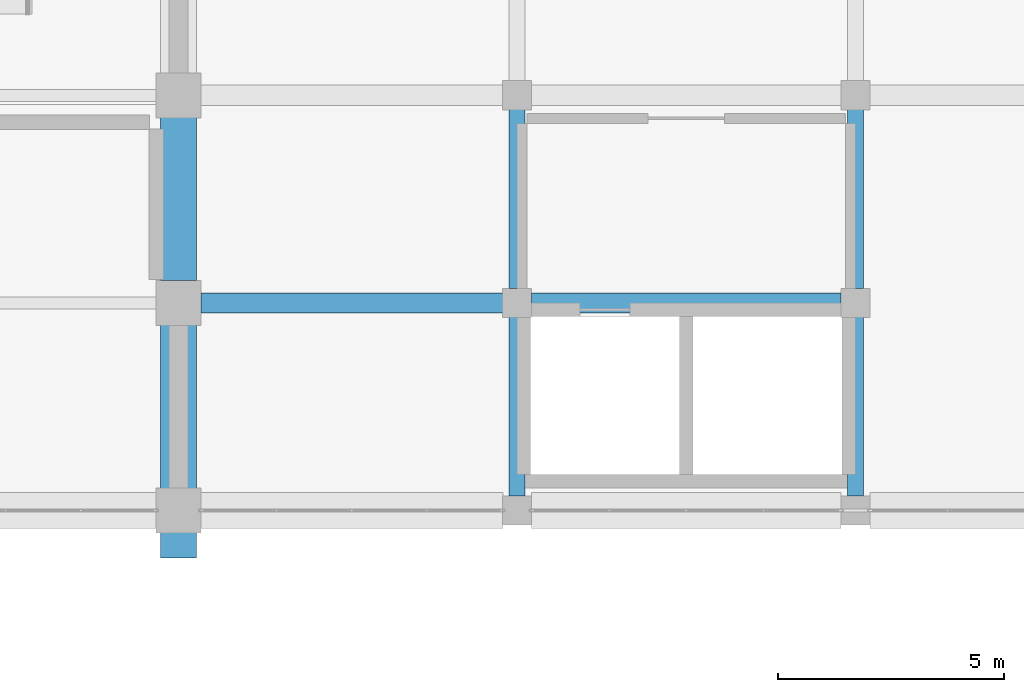
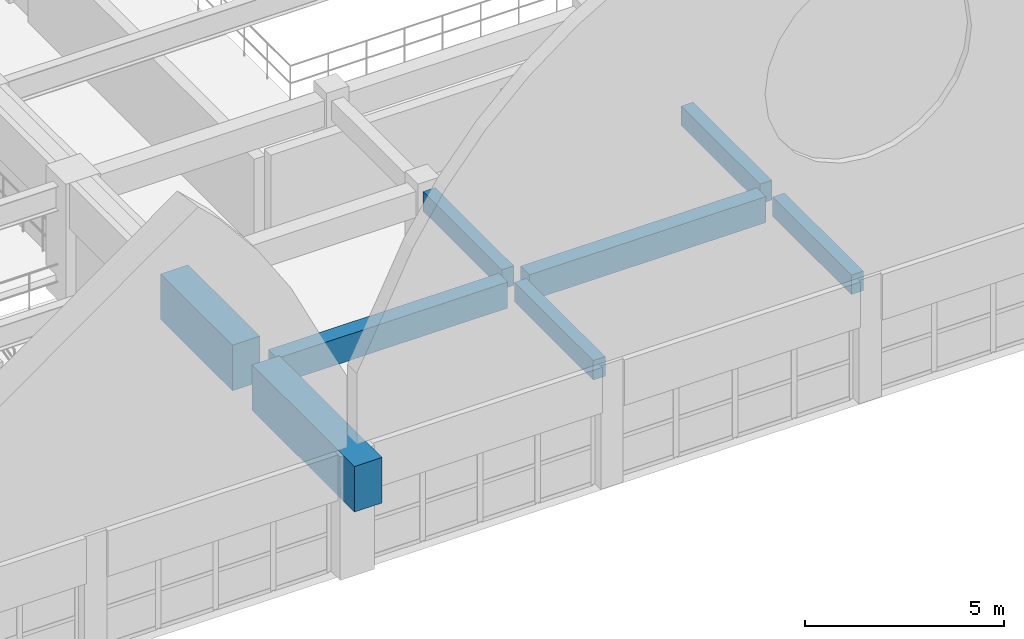
# One storey, part 24 of 74: 8 beams.
"""IFC4 building model written with IfcOpenShell, lengths in metres."""

import ifcopenshell
import ifcopenshell.guid

model = None  # the IFC model being written
_history = None  # IfcOwnerHistory: only IFC2X3 demands one
_inside = {}  # id of a spatial element -> (the spatial element, [elements in it])
_under = {}  # id of a project, library or spatial element -> (it, [spatial elements below it])
_declared = {}  # id of a project -> (the project, [libraries it declares])
_typed = {}  # id of a type object -> (the type object, [elements of that type])
_made_of = {}  # id of a material, layer set ... -> (it, [elements and type objects made of it])


def new_model(schema):
    """Start an empty IFC model of exactly this schema.

    Asked for "IFC4X3", IfcOpenShell would pick the latest addendum, in which some entities
    have other attributes; the version numbers below select the first issue.
    IFC2X3 requires an IfcOwnerHistory on every rooted entity: one is made here for all.
    """
    global model, _history
    if schema == "IFC4X3":
        model = ifcopenshell.file(schema_version=(4, 3, 0, 0))
    else:
        model = ifcopenshell.file(schema=schema)
    _inside.clear()
    _under.clear()
    _declared.clear()
    _typed.clear()
    _made_of.clear()
    _history = None
    if model.schema == "IFC2X3":
        org = make("IfcOrganization", Name="unknown")
        user = make(
            "IfcPersonAndOrganization",
            ThePerson=make("IfcPerson", FamilyName="unknown"),
            TheOrganization=org,
        )
        app = make(
            "IfcApplication",
            ApplicationDeveloper=org,
            Version="unknown",
            ApplicationFullName="unknown",
            ApplicationIdentifier="unknown",
        )
        _history = make(
            "IfcOwnerHistory",
            OwningUser=user,
            OwningApplication=app,
            ChangeAction="ADDED",
            CreationDate=0,
        )
    return model


def make(cls, **values):
    """One entity of the class cls with the attributes given. An attribute that is None is left unset."""
    return model.create_entity(
        cls, **{name: value for name, value in values.items() if value is not None}
    )


def rooted(cls, **values):
    """An entity with a GlobalId (a new one), such as an element, a storey or a relation."""
    return make(cls, GlobalId=ifcopenshell.guid.new(), OwnerHistory=_history, **values)


def si_unit(unit_type, name, prefix=None):
    """IfcSIUnit, for example si_unit("LENGTHUNIT", "METRE", prefix="MILLI")."""
    return make("IfcSIUnit", UnitType=unit_type, Prefix=prefix, Name=name)


def assignment(units):
    """IfcUnitAssignment: the units of a project."""
    return None if units is None else make("IfcUnitAssignment", Units=units)


def point(xyz):
    """IfcCartesianPoint."""
    return None if xyz is None else make("IfcCartesianPoint", Coordinates=xyz)


def direction(xyz):
    """IfcDirection."""
    return None if xyz is None else make("IfcDirection", DirectionRatios=xyz)


def frame(location, z_axis=None, x_axis=None):
    """IfcAxis2Placement3D, a coordinate frame: its origin and axes. An axis left out is left unset."""
    return make(
        "IfcAxis2Placement3D",
        Location=point(location),
        Axis=direction(z_axis),
        RefDirection=direction(x_axis),
    )


def frame_2d(location, x_axis=None):
    """IfcAxis2Placement2D, a coordinate frame in the plane: its origin and x axis."""
    return make(
        "IfcAxis2Placement2D", Location=point(location), RefDirection=direction(x_axis)
    )


def origin():
    """The frame at (0, 0, 0) with its axes left unset."""
    return frame((0.0, 0.0, 0.0))


def origin_2d():
    """The frame at (0, 0) in the plane with its x axis left unset."""
    return frame_2d((0.0, 0.0))


def place(relative_to, where):
    """IfcLocalPlacement: puts the frame where relative to a parent placement (None: the world)."""
    return make(
        "IfcLocalPlacement", PlacementRelTo=relative_to, RelativePlacement=where
    )


def context(
    kind, dimensions, precision=None, world=None, true_north=None, identifier=None
):
    """IfcGeometricRepresentationContext, for example the 3D "Model" context."""
    return make(
        "IfcGeometricRepresentationContext",
        ContextIdentifier=identifier,
        ContextType=kind,
        CoordinateSpaceDimension=dimensions,
        Precision=precision,
        WorldCoordinateSystem=world,
        TrueNorth=true_north,
    )


def subcontext(parent, identifier, kind, view, scale=None):
    """IfcGeometricRepresentationSubContext, for example "Body" below "Model"."""
    return make(
        "IfcGeometricRepresentationSubContext",
        ContextIdentifier=identifier,
        ContextType=kind,
        ParentContext=parent,
        TargetScale=scale,
        TargetView=view,
    )


def project(units=None, contexts=None):
    """IfcProject with its units and contexts."""
    return rooted(
        "IfcProject",
        Name="project",
        RepresentationContexts=contexts,
        UnitsInContext=assignment(units),
    )


def spatial(cls, under=None, at=None, **own):
    """A site, building, storey or space (cls), placed at a placement, below another one or the project."""
    s = rooted(cls, ObjectPlacement=at, **own)
    if under is not None:
        _under.setdefault(under.id(), (under, []))[1].append(s)
    return s


def profile(cls, at=None, kind="AREA", **sizes):
    """A parametric profile (cls). Its sizes go by their IFC names, for example OverallWidth=200.0."""
    return make(cls, ProfileType=kind, Position=at, **sizes)


def rectangle(**sizes):
    """IfcRectangleProfileDef."""
    return profile("IfcRectangleProfileDef", **sizes)


def extrude(swept, where, along, depth):
    """IfcExtrudedAreaSolid: the profile swept, set in the frame where, extruded along a direction by depth."""
    return make(
        "IfcExtrudedAreaSolid",
        SweptArea=swept,
        Position=where,
        ExtrudedDirection=direction(along),
        Depth=depth,
    )


def shape(context_of_items, identifier, shape_type, items):
    """IfcShapeRepresentation: the items that make up one representation, for example the "Body"."""
    return make(
        "IfcShapeRepresentation",
        ContextOfItems=context_of_items,
        RepresentationIdentifier=identifier,
        RepresentationType=shape_type,
        Items=items,
    )


def material(Name=None, Category=None):
    """IfcMaterial."""
    return make("IfcMaterial", Name=Name, Category=Category)


def material_profile(
    of_material, cross_section, Name=None, Category=None, Priority=None
):
    """IfcMaterialProfile: a cross section and its material."""
    return make(
        "IfcMaterialProfile",
        Name=Name,
        Material=of_material,
        Profile=cross_section,
        Priority=Priority,
        Category=Category,
    )


def profile_set(profiles, Name=None, composite=None):
    """IfcMaterialProfileSet."""
    return make(
        "IfcMaterialProfileSet",
        Name=Name,
        MaterialProfiles=profiles,
        CompositeProfile=composite,
    )


def made_of(thing, what):
    """Note that an element or type object is made of a material, layer set ...; save() writes the relation."""
    if what is not None:
        _made_of.setdefault(what.id(), (what, []))[1].append(thing)
    return thing


def type_object(cls, material=None, **own):
    """A type object (cls), such as IfcWallType, which elements share."""
    return made_of(rooted(cls, **own), material)


def element(
    cls,
    number,
    at=None,
    inside=None,
    cuts=None,
    type_object=None,
    material=None,
    context=None,
    identifier="Body",
    shape_type=None,
    held_by="IfcProductDefinitionShape",
    body=None,
    shapes=None,
    **own,
):
    """One element of the class cls, such as IfcWall. Its Tag is "e" and its number.

    at: its placement. inside: the storey or other place that contains it. cuts: it is an
    opening in that element (IfcRelVoidsElement). A single representation is given by context,
    identifier, shape_type and body (its items); several are given by shapes. held_by: the class
    of the entity that holds the representations. save() writes the other relations.
    """
    e = rooted(cls, Tag="e%d" % number, ObjectPlacement=at, **own)
    if body is not None:
        shapes = [shape(context, identifier, shape_type, body)]
    if shapes is not None:
        e.Representation = make(held_by, Representations=shapes)
    if inside is not None:
        _inside.setdefault(inside.id(), (inside, []))[1].append(e)
    if cuts is not None:
        rooted(
            "IfcRelVoidsElement", RelatingBuildingElement=cuts, RelatedOpeningElement=e
        )
    if type_object is not None:
        _typed.setdefault(type_object.id(), (type_object, []))[1].append(e)
    return made_of(e, material)


def aggregate(whole, parts):
    """IfcRelAggregates: a whole, such as a stair, and the parts it consists of."""
    return rooted("IfcRelAggregates", RelatingObject=whole, RelatedObjects=parts)


def save(model, path):
    """Write the relations noted so far, then the file.

    IfcRelAggregates (storeys below a building ...), IfcRelContainedInSpatialStructure (elements
    in a storey), IfcRelDefinesByType, IfcRelAssociatesMaterial and IfcRelDeclares: one each for
    every whole, place, type object, material and project.
    """
    for whole, parts in _under.values():
        aggregate(whole, parts)
    for where, things in _inside.values():
        rooted(
            "IfcRelContainedInSpatialStructure",
            RelatedElements=things,
            RelatingStructure=where,
        )
    for kind, things in _typed.values():
        rooted("IfcRelDefinesByType", RelatedObjects=things, RelatingType=kind)
    for what, things in _made_of.values():
        rooted("IfcRelAssociatesMaterial", RelatedObjects=things, RelatingMaterial=what)
    for by, libraries in _declared.values():
        rooted("IfcRelDeclares", RelatingContext=by, RelatedDefinitions=libraries)
    model.write(path)


model = new_model("IFC4")

# Units and contexts
model_context = context("Model", 3, precision=1e-05, world=origin(), true_north=direction((0.0, 1.0)))
body_context = subcontext(model_context, "Body", "Model", "MODEL_VIEW")
ifc_project = project(units=[si_unit("LENGTHUNIT", "METRE"), si_unit("AREAUNIT", "SQUARE_METRE"), si_unit("VOLUMEUNIT", "CUBIC_METRE"), si_unit("PLANEANGLEUNIT", "RADIAN"), si_unit("MASSUNIT", "GRAM", prefix="KILO")], contexts=[model_context])

# Site, building, storey
site_placement = place(None, origin())
site = spatial("IfcSite", under=ifc_project, at=site_placement, CompositionType="ELEMENT")
building_placement = place(site_placement, origin())
building = spatial("IfcBuilding", under=site, at=building_placement, Name="Muzn Square Opera House", CompositionType="ELEMENT")
storey_placement = place(building_placement, frame((0.0, 0.0, 14.199951171875)))
storey = spatial("IfcBuildingStorey", under=building, at=storey_placement, Name="L03", CompositionType="ELEMENT", Elevation=14.199951171875)

# Beams
ifc_material_1 = material(Name="Concrete C40/50", Category="concrete")
ifc_material_profile_1 = material_profile(ifc_material_1, rectangle(XDim=0.35009765625, YDim=0.60009765625, at=origin_2d()), Name="RCB 350x600", Category="concrete")
ifc_profile_set_1 = profile_set([ifc_material_profile_1], Name="Concrete C40/50")
beam_type_1 = type_object("IfcBeamType", Name="Primary Girder 350x600", PredefinedType="BEAM", material=ifc_profile_set_1)
for number, where, z_axis, x_axis, name in (
    (1, (110.5, 22.31689453125, 3.219970703125), (0.0, 1.0, 0.0), (-1.0, 0.0, 0.0), "Primary Girder BM-L03-BM-PG600-1105_223_1105_263-2595"),
    (2, (110.5, 26.9169921875, 3.219970703125), (0.0, 1.0, 0.0), (-1.0, 0.0, 0.0), "Primary Girder BM-L03-BM-PG600-1105_269_1105_309-2596"),
    (3, (118.0, 22.31689453125, 3.219970703125), (0.0, 1.0, 0.0), (-1.0, 0.0, 0.0), "Primary Girder BM-L03-BM-PG600-1180_223_1180_263-2603"),
    (4, (118.0, 26.9169921875, 3.219970703125), (0.0, 1.0, 0.0), (-1.0, 0.0, 0.0), "Primary Girder BM-L03-BM-PG600-1180_269_1180_309-2604"),
):
    element("IfcBeam", number, at=place(storey_placement, frame(where, z_axis=z_axis, x_axis=x_axis)), inside=storey, type_object=beam_type_1, Name=name, PredefinedType="BEAM", context=body_context, shape_type="SweptSolid", body=[
        extrude(rectangle(XDim=0.35009765625, YDim=0.60009765625, at=origin_2d()), origin(), (0.0, 0.0, 1.0), 3.966064453125),
    ])
ifc_material_profile_2 = material_profile(ifc_material_1, rectangle(XDim=0.449951171875, YDim=0.800048828125, at=origin_2d()), Name="RCB 450x800", Category="concrete")
ifc_profile_set_2 = profile_set([ifc_material_profile_2], Name="Concrete C40/50")
beam_type_2 = type_object("IfcBeamType", Name="Primary Girder 450x800", PredefinedType="BEAM", material=ifc_profile_set_2)
beam_1_placement = place(storey_placement, frame((103.491943359375, 26.60009765625, 3.1201171875), z_axis=(1.0, 0.0, 0.0), x_axis=(0.0, 1.0, 0.0)))
element("IfcBeam", 5, at=beam_1_placement, inside=storey, type_object=beam_type_2, Name="Primary Girder BM-L03-BM-PG800-1035_266_1102_266-2422", PredefinedType="BEAM", context=body_context, shape_type="SweptSolid", body=[
    extrude(rectangle(XDim=0.449951171875, YDim=0.800048828125, at=origin_2d()), origin(), (0.0, 0.0, 1.0), 6.691162109375),
])
beam_2_placement = place(storey_placement, frame((110.81689453125, 26.60009765625, 3.1201171875), z_axis=(1.0, 0.0, 0.0), x_axis=(0.0, 1.0, 0.0)))
element("IfcBeam", 6, at=beam_2_placement, inside=storey, type_object=beam_type_2, Name="Primary Girder BM-L03-BM-PG800-1108_266_1177_266-2423", PredefinedType="BEAM", context=body_context, shape_type="SweptSolid", body=[
    extrude(rectangle(XDim=0.449951171875, YDim=0.800048828125, at=origin_2d()), origin(), (0.0, 0.0, 1.0), 6.8662109375),
])
ifc_material_2 = material(Name="Concrete C45/55", Category="concrete")
ifc_material_profile_3 = material_profile(ifc_material_2, rectangle(XDim=0.800048828125, YDim=1.39990234375, at=origin_2d()), Name="RCB 800x1400", Category="concrete")
ifc_profile_set_3 = profile_set([ifc_material_profile_3], Name="Concrete C45/55")
beam_type_3 = type_object("IfcBeamType", Name="Vault Springing Girder 800x1400", PredefinedType="BEAM", material=ifc_profile_set_3)
beam_3_placement = place(storey_placement, frame((103.0, 20.949951171875, 3.10009765625), z_axis=(0.0, 1.0, 0.0), x_axis=(-1.0, 0.0, 0.0)))
element("IfcBeam", 7, at=beam_3_placement, inside=storey, type_object=beam_type_3, Name="Vault Springing Girder BM-L03-BM-VS1400-1030_210_1030_261-2584", PredefinedType="BEAM", context=body_context, shape_type="SweptSolid", body=[
    extrude(rectangle(XDim=0.800048828125, YDim=1.39990234375, at=origin_2d()), origin(), (0.0, 0.0, 1.0), 5.157958984375),
])
beam_4_placement = place(storey_placement, frame((103.0, 27.092041015625, 3.10009765625), z_axis=(0.0, 1.0, 0.0), x_axis=(-1.0, 0.0, 0.0)))
element("IfcBeam", 8, at=beam_4_placement, inside=storey, type_object=beam_type_3, Name="Vault Springing Girder BM-L03-BM-VS1400-1030_271_1030_307-2585", PredefinedType="BEAM", context=body_context, shape_type="SweptSolid", body=[
    extrude(rectangle(XDim=0.800048828125, YDim=1.39990234375, at=origin_2d()), origin(), (0.0, 0.0, 1.0), 3.615966796875),
])

save(model, "model.ifc")
